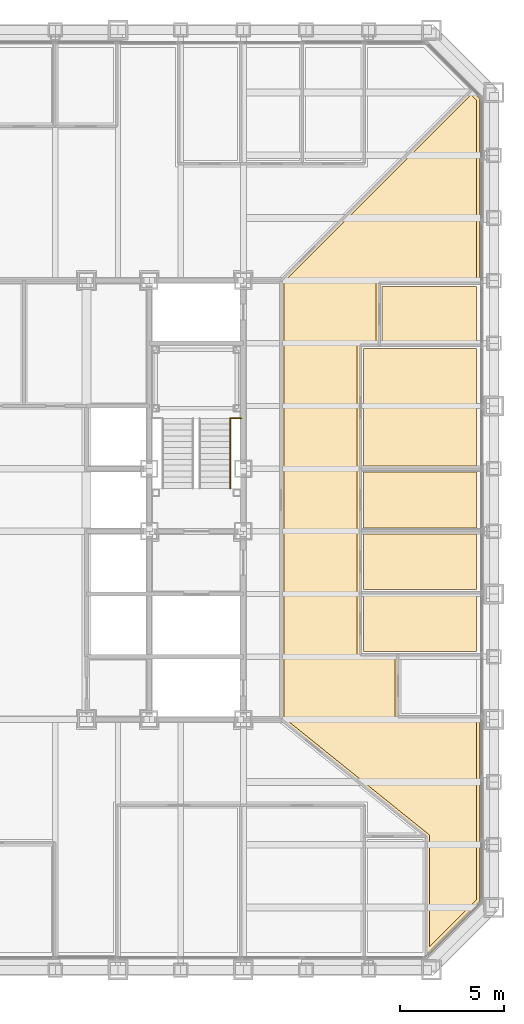
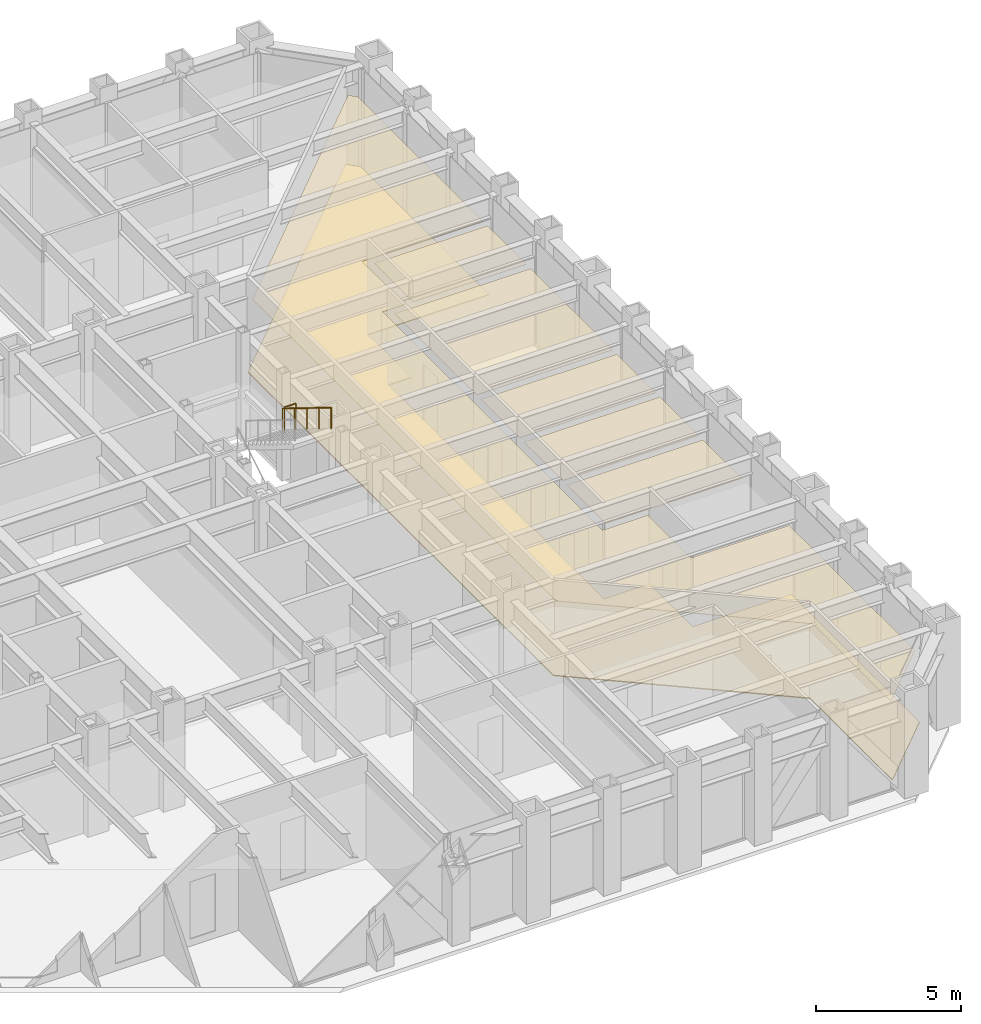
# One storey, part 16 of 17: 7 coverings, 2 railings.
"""IFC4 building model written with IfcOpenShell, lengths in metres."""

from ifc_helpers import new_model, si_unit, direction, frame, origin, origin_2d, place, context, subcontext, project, spatial, polyline, circle, outline, extrude, material, layer, layer_set, type_object, element, save


model = new_model("IFC4")

# Units and contexts
model_context = context("Model", 3, precision=1e-05, world=origin(), true_north=direction((0.0, 1.0)))
body_context = subcontext(model_context, "Body", "Model", "MODEL_VIEW")
ifc_project = project(units=[si_unit("LENGTHUNIT", "METRE"), si_unit("AREAUNIT", "SQUARE_METRE"), si_unit("VOLUMEUNIT", "CUBIC_METRE"), si_unit("PLANEANGLEUNIT", "RADIAN"), si_unit("MASSUNIT", "GRAM", prefix="KILO")], contexts=[model_context])

# Site, building, storey
site_placement = place(None, origin())
site = spatial("IfcSite", under=ifc_project, at=site_placement, CompositionType="ELEMENT")
building_placement = place(site_placement, origin())
building = spatial("IfcBuilding", under=site, at=building_placement, Name="Chuquiago Exchange Tower", CompositionType="ELEMENT")
storey_placement = place(building_placement, frame((0.0, 0.0, 46.800048828125)))
storey = spatial("IfcBuildingStorey", under=building, at=storey_placement, Name="L09", CompositionType="ELEMENT", Elevation=46.800048828125)

# Coverings
ifc_material_1 = material(Name="Mineral fibre tile, 600 x 600, on pale metal grid", Category="mineral fibre")
ifc_layer_1 = layer(ifc_material_1, 0.02001953125)
ifc_layer_set_1 = layer_set([ifc_layer_1], Name="CL1 suspended tile ceiling 20")
covering_type_1 = type_object("IfcCoveringType", Name="CL1 suspended tile ceiling 20", PredefinedType="CEILING", material=ifc_layer_set_1)
covering_1_placement = place(storey_placement, frame((0.0, 0.0, 3.0)))
element("IfcCovering", 1, at=covering_1_placement, inside=storey, type_object=covering_type_1, Name="Ceiling Trading support room", PredefinedType="CEILING", context=body_context, shape_type="SweptSolid", body=[
    extrude(outline(polyline([(38.75, 15.24560546875), (38.75, 17.907470703125), (44.14990234375, 17.907470703125), (44.14990234375, 15.24560546875), (38.75, 15.24560546875)])), origin(), (0.0, 0.0, 1.0), 0.02001953125),
])
covering_2_placement = place(storey_placement, frame((0.0, 0.0, 3.0)))
element("IfcCovering", 2, at=covering_2_placement, inside=storey, type_object=covering_type_1, Name="Ceiling Trading support room", PredefinedType="CEILING", context=body_context, shape_type="SweptSolid", body=[
    extrude(outline(polyline([(38.75, 18.20751953125), (38.75, 20.869140625), (44.14990234375, 20.869140625), (44.14990234375, 18.20751953125), (38.75, 18.20751953125)])), origin(), (0.0, 0.0, 1.0), 0.02001953125),
])
covering_3_placement = place(storey_placement, frame((0.0, 0.0, 3.0)))
element("IfcCovering", 3, at=covering_3_placement, inside=storey, type_object=covering_type_1, Name="Ceiling Trading support room", PredefinedType="CEILING", context=body_context, shape_type="SweptSolid", body=[
    extrude(outline(polyline([(38.75, 21.169189453125), (38.75, 23.830810546875), (44.14990234375, 23.830810546875), (44.14990234375, 21.169189453125), (38.75, 21.169189453125)])), origin(), (0.0, 0.0, 1.0), 0.02001953125),
])
covering_4_placement = place(storey_placement, frame((0.0, 0.0, 3.0)))
element("IfcCovering", 4, at=covering_4_placement, inside=storey, type_object=covering_type_1, Name="Ceiling Meeting room", PredefinedType="CEILING", context=body_context, shape_type="SweptSolid", body=[
    extrude(outline(polyline([(38.75, 24.130859375), (38.75, 29.75439453125), (44.14990234375, 29.75439453125), (44.14990234375, 24.130859375), (38.75, 24.130859375)])), origin(), (0.0, 0.0, 1.0), 0.02001953125),
])
covering_5_placement = place(storey_placement, frame((0.0, 0.0, 3.0)))
element("IfcCovering", 5, at=covering_5_placement, inside=storey, type_object=covering_type_1, Name="Ceiling Comms room", PredefinedType="CEILING", context=body_context, shape_type="SweptSolid", body=[
    extrude(outline(polyline([(39.64990234375, 30.054443359375), (39.64990234375, 32.71630859375), (44.14990234375, 32.71630859375), (44.14990234375, 30.054443359375), (39.64990234375, 30.054443359375)])), origin(), (0.0, 0.0, 1.0), 0.02001953125),
])
covering_6_placement = place(storey_placement, frame((0.0, 0.0, 3.0)))
element("IfcCovering", 6, at=covering_6_placement, inside=storey, type_object=covering_type_1, Name="Ceiling Trading floor east", PredefinedType="CEILING", context=body_context, shape_type="SweptSolid", body=[
    extrude(outline(polyline([(44.14990234375, 33.01611328125), (39.35009765625, 33.01611328125), (39.35009765625, 30.054443359375), (38.449951171875, 30.054443359375), (38.449951171875, 14.945556640625), (40.25, 14.945556640625), (40.25, 11.98388671875), (44.14990234375, 11.98388671875), (44.14990234375, 3.35205078125), (41.901611328125, 1.103515625), (41.90185546875, 6.47216796875), (34.949951171875, 12.072265625), (34.949951171875, 32.9375), (43.905517578125, 41.892578125), (44.14990234375, 41.64794921875), (44.14990234375, 33.01611328125)])), origin(), (0.0, 0.0, 1.0), 0.02001953125),
])

# Railings
ifc_material_2 = material(Name="Pale metal guard with safety glass infill", Category="glass")
railing_type_1 = type_object("IfcRailingType", Name="GR1 guard 1100", PredefinedType="GUARDRAIL", material=ifc_material_2)
railing_1_placement = place(storey_placement, frame((32.445068359375, 26.409912109375, 2.25)))
element("IfcRailing", 7, at=railing_1_placement, inside=storey, type_object=railing_type_1, Name="Guard ST2 L09 landing 2", PredefinedType="GUARDRAIL", context=body_context, shape_type="SweptSolid", body=[
    extrude(circle(Radius=0.02392578125, at=origin_2d()), frame((0.0, 0.0, 1.076171875), z_axis=(1.0, 0.0, 0.0), x_axis=(0.0, 1.0, 0.0)), (0.0, 0.0, 1.0), 0.454833984375),
    extrude(circle(Radius=0.02099609375, at=origin_2d()), origin(), (0.0, 0.0, 1.0), 1.052001953125),
    extrude(circle(Radius=0.02099609375, at=origin_2d()), frame((0.454833984375, 0.0, 0.0)), (0.0, 0.0, 1.0), 1.052001953125),
])
ifc_material_3 = material(Name="Pale metal handrail", Category="steel")
railing_type_2 = type_object("IfcRailingType", Name="HR1 handrail 900", PredefinedType="HANDRAIL", material=ifc_material_3)
railing_2_placement = place(storey_placement, frame((32.364990234375, 26.409912109375, 2.423095703125)))
element("IfcRailing", 8, at=railing_2_placement, inside=storey, type_object=railing_type_2, Name="Handrail ST2 L09 flight 2", PredefinedType="HANDRAIL", context=body_context, shape_type="SweptSolid", body=[
    extrude(circle(Radius=0.02392578125, at=origin_2d()), frame((0.0, 0.0, 0.8759765625), z_axis=(0.0, -0.850606129759, 0.525803396734), x_axis=(1.0, 0.0, 0.0)), (0.0, 0.0, 1.0), 3.949951171875),
    extrude(circle(Radius=0.02099609375, at=origin_2d()), origin(), (0.0, 0.0, 1.0), 0.851806640625),
    extrude(circle(Radius=0.02099609375, at=origin_2d()), frame((0.0, -0.83984375, 0.519287109375)), (0.0, 0.0, 1.0), 0.851806640625),
    extrude(circle(Radius=0.02099609375, at=origin_2d()), frame((0.0, -1.679931640625, 1.03857421875)), (0.0, 0.0, 1.0), 0.851806640625),
    extrude(circle(Radius=0.02099609375, at=origin_2d()), frame((0.0, -2.52001953125, 1.5576171875)), (0.0, 0.0, 1.0), 0.851806640625),
    extrude(circle(Radius=0.02099609375, at=origin_2d()), frame((0.0, -3.35986328125, 2.076904296875)), (0.0, 0.0, 1.0), 0.851806640625),
])

# Covering
ifc_material_4 = material(Name="Steel raised floor panel", Category="steel")
ifc_layer_2 = layer(ifc_material_4, 0.0400390625)
ifc_layer_set_2 = layer_set([ifc_layer_2], Name="RF1 raised access floor 40")
covering_type_2 = type_object("IfcCoveringType", Name="RF1 raised access floor 40", PredefinedType="FLOORING", material=ifc_layer_set_2)
covering_7_placement = place(storey_placement, frame((0.0, 0.0, -0.0400390625)))
element("IfcCovering", 9, at=covering_7_placement, inside=storey, type_object=covering_type_2, Name="Raised access floor Trading floor east", PredefinedType="FLOORING", context=body_context, shape_type="SweptSolid", body=[
    extrude(outline(polyline([(44.300048828125, 41.710205078125), (44.300048828125, 32.8662109375), (39.5, 32.8662109375), (39.5, 29.904296875), (38.60009765625, 29.904296875), (38.60009765625, 15.095703125), (40.39990234375, 15.095703125), (40.39990234375, 12.1337890625), (44.300048828125, 12.1337890625), (44.300048828125, 3.289794921875), (41.75146484375, 0.741455078125), (41.751953125, 6.400390625), (34.800048828125, 12.00048828125), (34.800048828125, 32.99951171875), (43.905517578125, 42.104736328125), (44.300048828125, 41.710205078125)])), origin(), (0.0, 0.0, 1.0), 0.0400390625),
])

save(model, "model.ifc")
